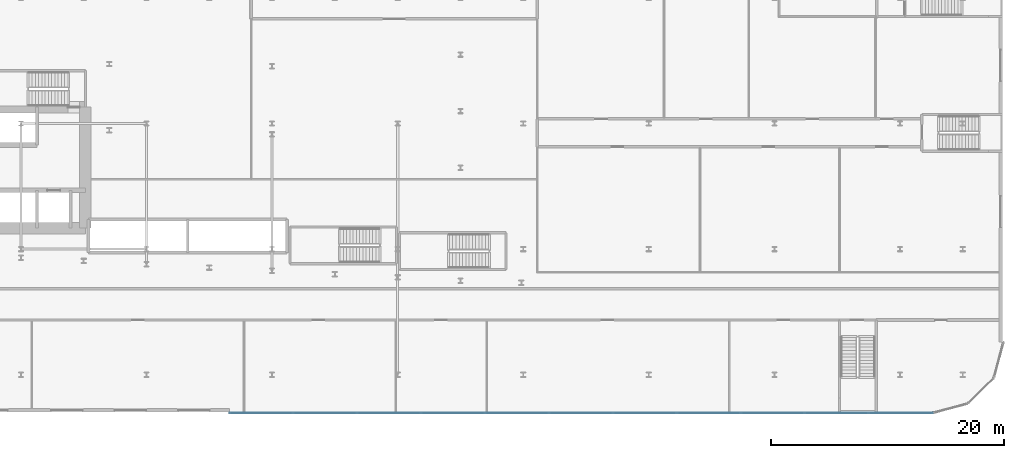
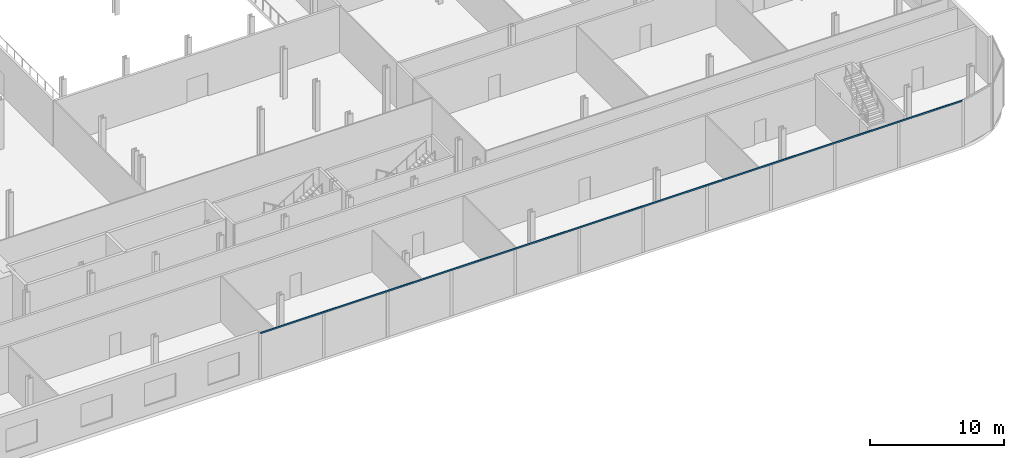
# One storey, part 11 of 47: 1 member, 1 element without a shape of its own.
"""IFC4 building model written with IfcOpenShell, lengths in metres."""

from ifc_helpers import new_model, si_unit, direction, frame, origin, origin_2d, place, context, subcontext, project, spatial, rectangle, extrude, material, layer, layer_set, material_profile, profile_set, type_object, element, aggregate, save


model = new_model("IFC4")

# Units and contexts
model_context = context("Model", 3, precision=1e-05, world=origin(), true_north=direction((0.0, 1.0)))
body_context = subcontext(model_context, "Body", "Model", "MODEL_VIEW")
ifc_project = project(units=[si_unit("LENGTHUNIT", "METRE"), si_unit("AREAUNIT", "SQUARE_METRE"), si_unit("VOLUMEUNIT", "CUBIC_METRE"), si_unit("PLANEANGLEUNIT", "RADIAN"), si_unit("MASSUNIT", "GRAM", prefix="KILO")], contexts=[model_context])

# Site, building, storey
site_placement = place(None, origin())
site = spatial("IfcSite", under=ifc_project, at=site_placement, CompositionType="ELEMENT")
building_placement = place(site_placement, origin())
building = spatial("IfcBuilding", under=site, at=building_placement, Name="Kheshtan School and Residences Tower", CompositionType="ELEMENT")
storey_placement = place(building_placement, frame((0.0, 0.0, 12.5)))
storey = spatial("IfcBuildingStorey", under=building, at=storey_placement, Name="L02", CompositionType="ELEMENT", Elevation=12.5)

# Curtain wall, member
ifc_material_1 = material(Name="Clear low-e glass in thermally broken aluminium frame", Category="aluminium")
ifc_layer = layer(ifc_material_1, 0.22509765625)
ifc_layer_set = layer_set([ifc_layer], Name="Curtain wall CW-P")
curtain_wall_type = type_object("IfcCurtainWallType", Name="Curtain wall CW-P", PredefinedType="NOTDEFINED", material=ifc_layer_set)
curtain_wall_placement = place(storey_placement, origin())
curtain_wall = element("IfcCurtainWall", 1, at=curtain_wall_placement, inside=storey, type_object=curtain_wall_type, Name="Curtain wall CWP12a", PredefinedType="NOTDEFINED")
ifc_material_2 = material(Name="Thermally broken aluminium, dark bronze anodised", Category="aluminium")
ifc_material_profile = material_profile(ifc_material_2, rectangle(XDim=0.06005859375, YDim=0.139892578125, at=origin_2d()), Name="CW-P transom 60x140")
ifc_profile_set = profile_set([ifc_material_profile], Name="Thermally broken aluminium, dark bronze anodised")
member_type = type_object("IfcMemberType", Name="CW-P transom 60x140", PredefinedType="USERDEFINED", material=ifc_profile_set)
member_placement = place(storey_placement, frame((126.02490234375, 9.89990234375, 4.179931640625), z_axis=(-1.0, 0.0, 0.0), x_axis=(0.0, -1.0, 0.0)))
member = element("IfcMember", 2, at=member_placement, type_object=member_type, Name="CWP12a transom 1", ObjectType="TRANSOM", PredefinedType="USERDEFINED", context=body_context, shape_type="SweptSolid", body=[
    extrude(rectangle(XDim=0.06005859375, YDim=0.139892578125, at=origin_2d()), origin(), (0.0, 0.0, 1.0), 60.44482421875),
])
aggregate(curtain_wall, [member])

save(model, "model.ifc")
